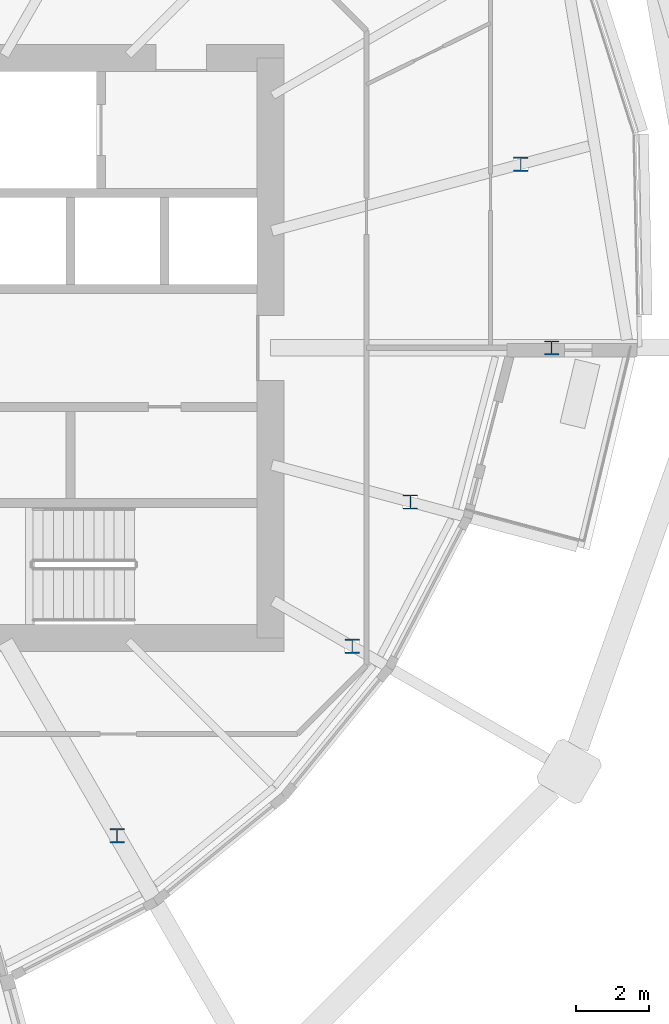
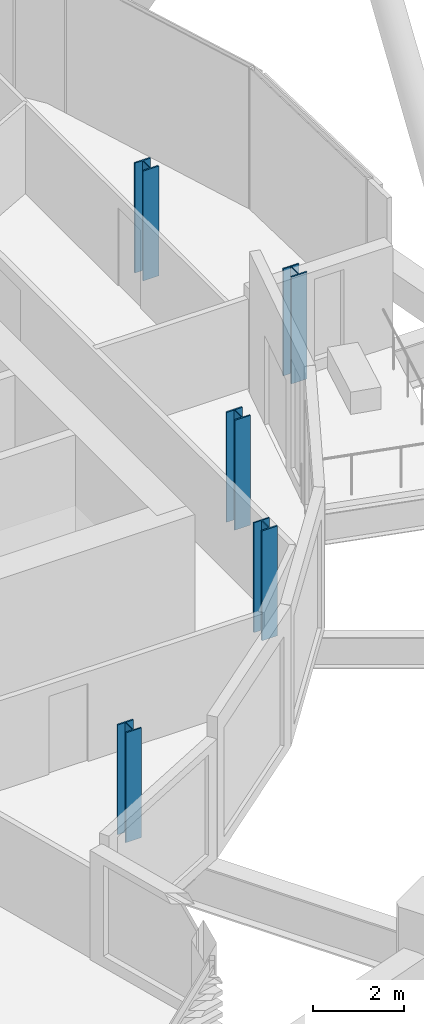
# One storey, part 2 of 38: 5 columns.
"""IFC4 building model written with IfcOpenShell, lengths in metres."""

from ifc_helpers import new_model, si_unit, direction, frame, origin, origin_2d, place, context, subcontext, project, spatial, i_section, extrude, material, material_profile, profile_set, type_object, element, save


model = new_model("IFC4")

# Units and contexts
model_context = context("Model", 3, precision=1e-05, world=origin(), true_north=direction((0.0, 1.0)))
body_context = subcontext(model_context, "Body", "Model", "MODEL_VIEW")
ifc_project = project(units=[si_unit("LENGTHUNIT", "METRE"), si_unit("AREAUNIT", "SQUARE_METRE"), si_unit("VOLUMEUNIT", "CUBIC_METRE"), si_unit("PLANEANGLEUNIT", "RADIAN"), si_unit("MASSUNIT", "GRAM", prefix="KILO")], contexts=[model_context])

# Site, building, storey
site_placement = place(None, origin())
site = spatial("IfcSite", under=ifc_project, at=site_placement, CompositionType="ELEMENT")
building_placement = place(site_placement, origin())
building = spatial("IfcBuilding", under=site, at=building_placement, Name="Rimbun Link Towers", CompositionType="ELEMENT")
storey_placement = place(building_placement, frame((0.0, 0.0, 93.0)))
storey = spatial("IfcBuildingStorey", under=building, at=storey_placement, Name="L22", CompositionType="ELEMENT", Elevation=93.0)

# Columns
ifc_material = material(Name="Steel S355J2", Category="steel")
ifc_material_profile = material_profile(ifc_material, i_section(OverallWidth=0.39892578125, OverallDepth=0.3935546875, WebThickness=0.022705078125, FlangeThickness=0.03662109375, at=origin_2d()), Name="UC 356x406x287")
ifc_profile_set = profile_set([ifc_material_profile], Name="Steel S355J2")
column_type = type_object("IfcColumnType", Name="UC 356x406x287", PredefinedType="COLUMN", material=ifc_profile_set)
for number, where, z_axis, x_axis, name in (
    (1, (39.519287109375, -13.456787109375, -0.159912109375), (0.0, 0.0, 1.0), (1.0, 0.0, 0.0), "Crease post T2 L22 17"),
    (2, (46.0068359375, -8.231201171875, -0.159912109375), (0.0, 0.0, 1.0), (1.0, 0.0, 0.0), "Crease post T2 L22 19"),
    (3, (47.610107421875, -4.249755859375, -0.159912109375), (0.0, 0.0, 1.0), (1.0, 0.0, 0.0), "Crease post T2 L22 20"),
):
    element("IfcColumn", number, at=place(storey_placement, frame(where, z_axis=z_axis, x_axis=x_axis)), inside=storey, type_object=column_type, Name=name, PredefinedType="COLUMN", context=body_context, shape_type="SweptSolid", body=[
        extrude(i_section(OverallWidth=0.39892578125, OverallDepth=0.3935546875, WebThickness=0.022705078125, FlangeThickness=0.03662109375, at=origin_2d()), origin(), (0.0, 0.0, 1.0), 2.959228515625),
    ])
column_1_placement = place(storey_placement, frame((51.5078125, 0.0, -0.159912109375), z_axis=(0.0, 0.0, 1.0), x_axis=(1.0, 0.0, 0.0)))
element("IfcColumn", 4, at=column_1_placement, inside=storey, type_object=column_type, Name="Crease post T2 L22 21", PredefinedType="COLUMN", context=body_context, shape_type="SweptSolid", body=[
    extrude(i_section(OverallWidth=0.39892578125, OverallDepth=0.3935546875, WebThickness=0.022705078125, FlangeThickness=0.03662109375, at=origin_2d()), origin(), (0.0, 0.0, 1.0), 2.881591796875),
])
column_2_placement = place(storey_placement, frame((50.653564453125, 5.065185546875, -0.159912109375), z_axis=(0.0, 0.0, 1.0), x_axis=(1.0, 0.0, 0.0)))
element("IfcColumn", 5, at=column_2_placement, inside=storey, type_object=column_type, Name="Crease post T2 L22 22", PredefinedType="COLUMN", context=body_context, shape_type="SweptSolid", body=[
    extrude(i_section(OverallWidth=0.39892578125, OverallDepth=0.3935546875, WebThickness=0.022705078125, FlangeThickness=0.03662109375, at=origin_2d()), origin(), (0.0, 0.0, 1.0), 2.959228515625),
])

save(model, "model.ifc")
